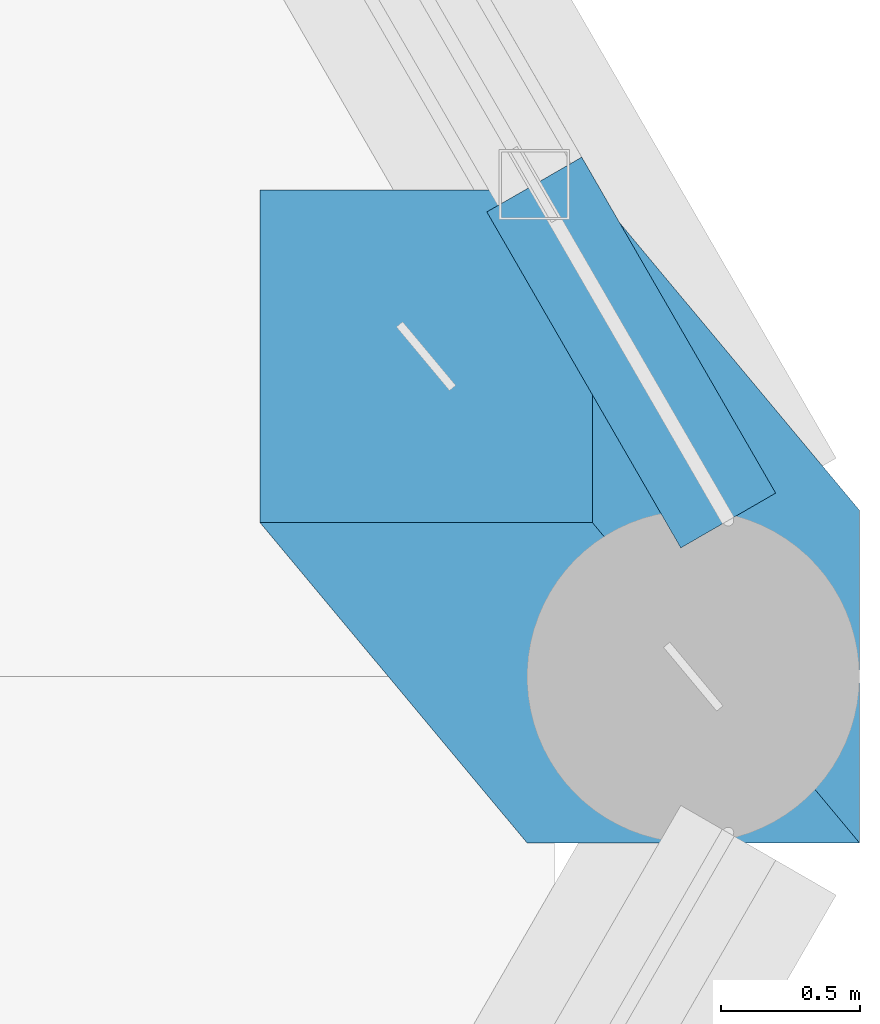
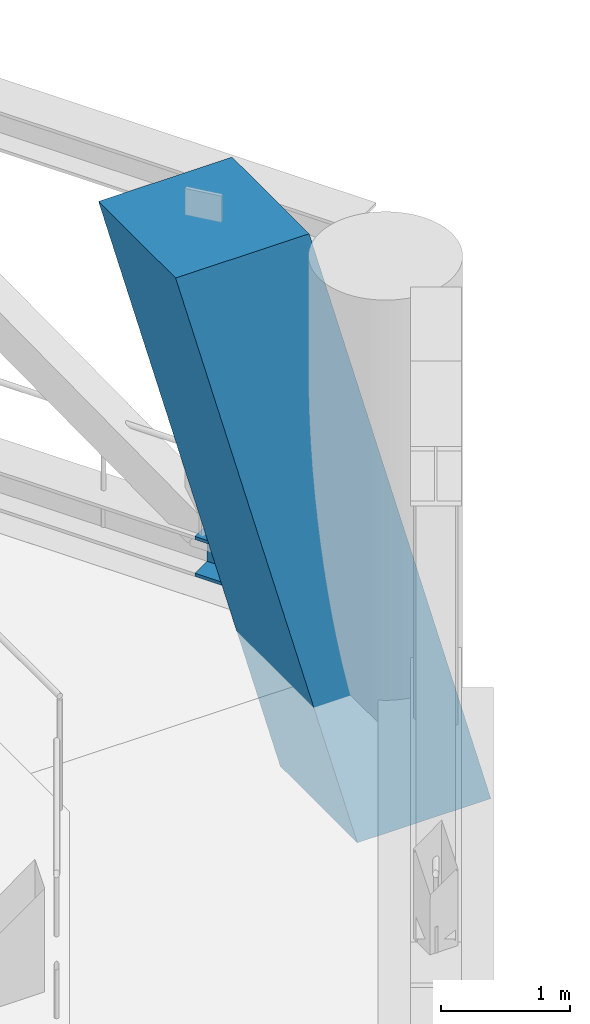
# One storey, part 5 of 22: 2 members.
"""IFC4 building model written with IfcOpenShell, lengths in metres."""

from ifc_helpers import new_model, si_unit, direction, frame, origin, origin_2d, place, context, subcontext, project, spatial, rectangle, i_section, extrude, material, material_profile, profile_set, type_object, element, save


model = new_model("IFC4")

# Units and contexts
model_context = context("Model", 3, precision=1e-05, world=origin(), true_north=direction((0.0, 1.0)))
body_context = subcontext(model_context, "Body", "Model", "MODEL_VIEW")
ifc_project = project(units=[si_unit("LENGTHUNIT", "METRE"), si_unit("AREAUNIT", "SQUARE_METRE"), si_unit("VOLUMEUNIT", "CUBIC_METRE"), si_unit("PLANEANGLEUNIT", "RADIAN"), si_unit("MASSUNIT", "GRAM", prefix="KILO")], contexts=[model_context])

# Site, building, storey
site_placement = place(None, origin())
site = spatial("IfcSite", under=ifc_project, at=site_placement, CompositionType="ELEMENT")
building_placement = place(site_placement, origin())
building = spatial("IfcBuilding", under=site, at=building_placement, Name="Ostrander Bayou Hotel Tower", CompositionType="ELEMENT")
storey_placement = place(building_placement, frame((0.0, 0.0, 146.0)))
storey = spatial("IfcBuildingStorey", under=building, at=storey_placement, Name="L36", CompositionType="ELEMENT", Elevation=146.0)

# Members
ifc_material_1 = material(Name="Steel ASTM A992", Category="steel")
ifc_material_profile_1 = material_profile(ifc_material_1, i_section(OverallWidth=0.3955078125, OverallDepth=0.38037109375, WebThickness=0.01904296875, FlangeThickness=0.0302734375, at=origin_2d()))
ifc_profile_set_1 = profile_set([ifc_material_profile_1], Name="Steel ASTM A992")
member_type_1 = type_object("IfcMemberType", Name="BT3 belt truss chord W14x159", PredefinedType="CHORD", material=ifc_profile_set_1)
member_1_placement = place(storey_placement, frame((21.927734375, -0.593017578125, 0.190185546875), z_axis=(-0.499908613451, 0.866078159404, 0.0), x_axis=(-0.866078159404, -0.499908613451, 0.0)))
element("IfcMember", 1, at=member_1_placement, inside=storey, type_object=member_type_1, Name="BT3 L36 NE-1B1", PredefinedType="CHORD", context=body_context, shape_type="SweptSolid", body=[
    extrude(i_section(OverallWidth=0.3955078125, OverallDepth=0.38037109375, WebThickness=0.01904296875, FlangeThickness=0.0302734375, at=origin_2d()), origin(), (0.0, 0.0, 1.0), 1.400146484375),
])
ifc_material_2 = material(Name="Concrete f'c 70 MPa", Category="concrete")
ifc_material_profile_2 = material_profile(ifc_material_2, rectangle(XDim=1.199951171875, YDim=1.199951171875, at=origin_2d()))
ifc_profile_set_2 = profile_set([ifc_material_profile_2], Name="Concrete f'c 70 MPa")
member_type_2 = type_object("IfcMemberType", Name="KC2 kinked column 1200 x 1200 mm f'c 70 MPa", PredefinedType="STRUT", material=ifc_profile_set_2)
member_2_placement = place(storey_placement, frame((21.801513671875, -1.156494140625, -1.199951171875), z_axis=(0.0, 0.0, 1.0), x_axis=(1.0, 0.0, 0.0)))
element("IfcMember", 2, at=member_2_placement, inside=storey, type_object=member_type_2, Name="KC2 L36 K4", PredefinedType="STRUT", context=body_context, shape_type="SweptSolid", body=[
    extrude(rectangle(XDim=1.199951171875, YDim=1.199951171875, at=origin_2d()), origin(), (-0.184677847477, 0.221473155316, 0.957519573756), 5.221923828125),
])

save(model, "model.ifc")
